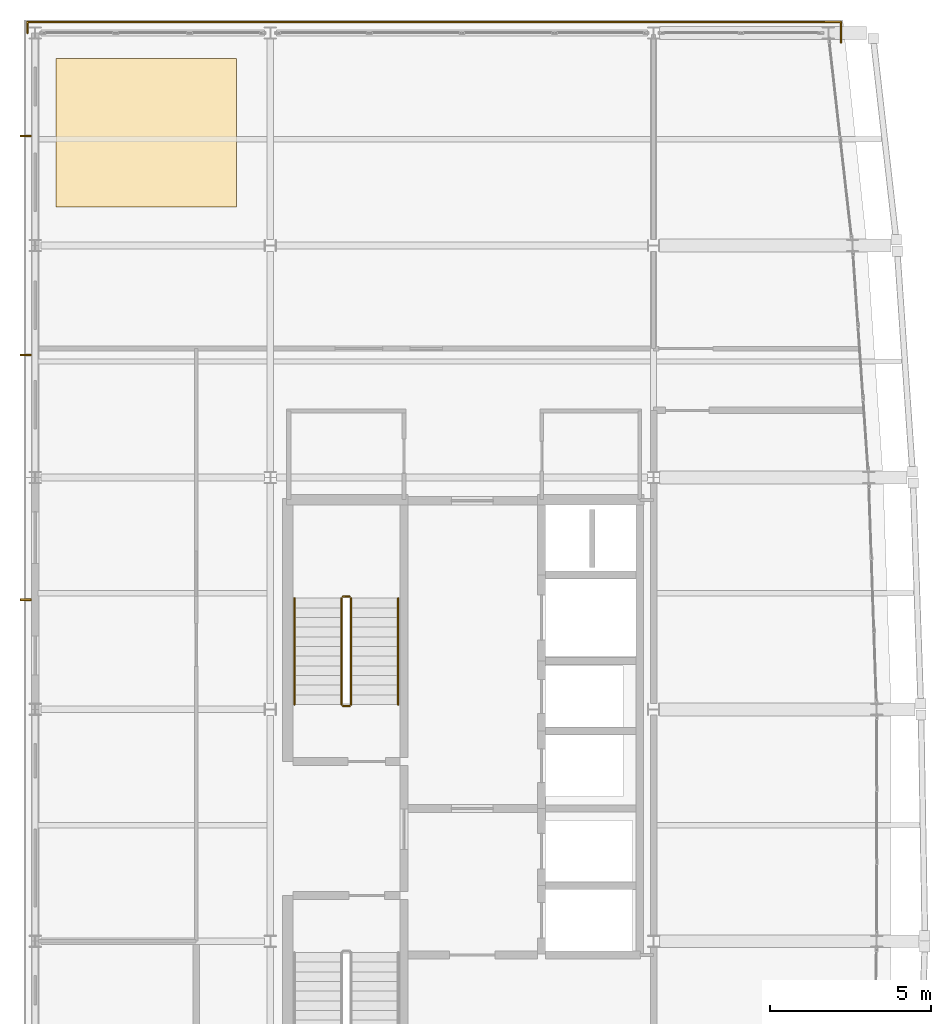
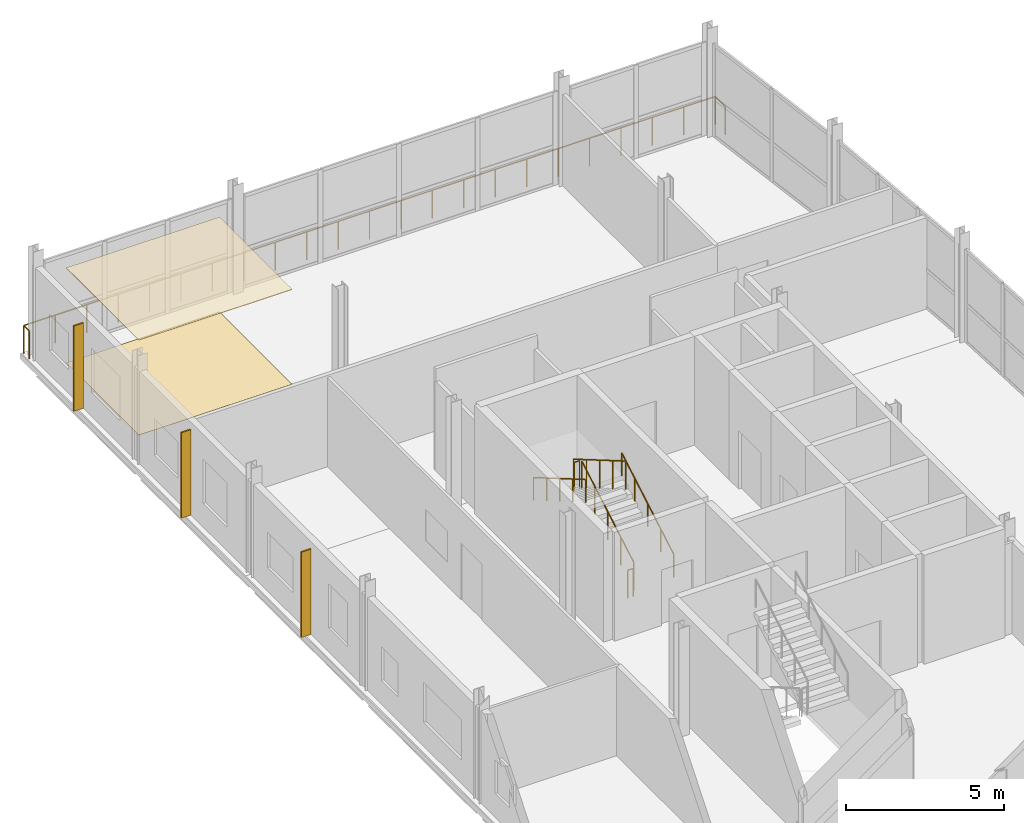
# One storey, part 19 of 19: 7 railings, 3 shading devices, 2 coverings.
"""IFC4 building model written with IfcOpenShell, lengths in metres."""

from ifc_helpers import new_model, si_unit, direction, frame, origin, origin_2d, place, context, subcontext, project, spatial, polyline, rectangle, circle, outline, extrude, material, layer, layer_set, type_object, element, save


model = new_model("IFC4")

# Units and contexts
model_context = context("Model", 3, precision=1e-05, world=origin(), true_north=direction((0.0, 1.0)))
body_context = subcontext(model_context, "Body", "Model", "MODEL_VIEW")
ifc_project = project(units=[si_unit("LENGTHUNIT", "METRE"), si_unit("AREAUNIT", "SQUARE_METRE"), si_unit("VOLUMEUNIT", "CUBIC_METRE"), si_unit("PLANEANGLEUNIT", "RADIAN"), si_unit("MASSUNIT", "GRAM", prefix="KILO")], contexts=[model_context])

# Site, building, storey
site_placement = place(None, origin())
site = spatial("IfcSite", under=ifc_project, at=site_placement, CompositionType="ELEMENT")
building_placement = place(site_placement, origin())
building = spatial("IfcBuilding", under=site, at=building_placement, Name="Quillay Park Conservatory", CompositionType="ELEMENT")
storey_placement = place(building_placement, frame((0.0, 0.0, 35.10009765625)))
storey = spatial("IfcBuildingStorey", under=building, at=storey_placement, Name="L08", CompositionType="ELEMENT", Elevation=35.10009765625)

# Coverings
ifc_material_1 = material(Name="Perforated Mineral-Fibre Acoustic Ceiling")
ifc_layer_1 = layer(ifc_material_1, 0.02490234375)
ifc_layer_set_1 = layer_set([ifc_layer_1], Name="ACOUSTIC MINERAL CEILING 25 (Perforated Mineral-Fibre Acoustic Ceiling)")
covering_type_1 = type_object("IfcCoveringType", Name="ACOUSTIC MINERAL CEILING 25", PredefinedType="CEILING", material=ifc_layer_set_1)
covering_1_placement = place(storey_placement, frame((0.0, 0.0, 3.661865234375)))
element("IfcCovering", 1, at=covering_1_placement, inside=storey, type_object=covering_type_1, Name="L08 Suspended Acoustic Ceiling", PredefinedType="CEILING", context=body_context, shape_type="SweptSolid", body=[
    extrude(outline(polyline([(1.199951171875, 108.0), (6.800048828125, 108.0), (6.800048828125, 112.60009765625), (1.199951171875, 112.60009765625), (1.199951171875, 108.0)])), origin(), (0.0, 0.0, 1.0), 0.025146484375),
])
ifc_material_2 = material(Name="Seamless Chemical-Resistant Epoxy Flooring")
ifc_layer_2 = layer(ifc_material_2, 0.01806640625)
ifc_layer_set_2 = layer_set([ifc_layer_2], Name="SEAMLESS EPOXY LAB FLOORING 18 (Seamless Chemical-Resistant Epoxy Flooring)")
covering_type_2 = type_object("IfcCoveringType", Name="SEAMLESS EPOXY LAB FLOORING 18", PredefinedType="FLOORING", material=ifc_layer_set_2)
covering_2_placement = place(storey_placement, origin())
element("IfcCovering", 2, at=covering_2_placement, inside=storey, type_object=covering_type_2, Name="L08 Interior Flooring Finish", PredefinedType="FLOORING", context=body_context, shape_type="SweptSolid", body=[
    extrude(outline(polyline([(1.199951171875, 108.0), (6.800048828125, 108.0), (6.800048828125, 112.60009765625), (1.199951171875, 112.60009765625), (1.199951171875, 108.0)])), origin(), (0.0, 0.0, 1.0), 0.017822265625),
])

# Railings
ifc_material_3 = material(Name="Steel S355J2H", Category="steel")
railing_type_1 = type_object("IfcRailingType", Name="STAIR WALL HANDRAIL 900", PredefinedType="HANDRAIL", material=ifc_material_3)
railing_1_placement = place(storey_placement, frame((11.820068359375, 92.550048828125, 0.1748046875)))
element("IfcRailing", 3, at=railing_1_placement, inside=storey, type_object=railing_type_1, Name="L08 ST-T1 stair handrail 1", PredefinedType="HANDRAIL", context=body_context, shape_type="SweptSolid", body=[
    extrude(circle(Radius=0.02392578125, at=origin_2d()), frame((0.0, 0.0, 0.8759765625), z_axis=(0.0, 0.863776583165, 0.503874998761), x_axis=(-1.0, 0.0, 0.0)), (0.0, 0.0, 1.0), 3.820556640625),
    extrude(circle(Radius=0.02099609375, at=origin_2d()), origin(), (0.0, 0.0, 1.0), 0.851806640625),
    extrude(circle(Radius=0.02099609375, at=origin_2d()), frame((0.0, 0.824951171875, 0.481201171875)), (0.0, 0.0, 1.0), 0.851806640625),
    extrude(circle(Radius=0.02099609375, at=origin_2d()), frame((0.0, 1.64990234375, 0.96240234375)), (0.0, 0.0, 1.0), 0.851806640625),
    extrude(circle(Radius=0.02099609375, at=origin_2d()), frame((0.0, 2.47509765625, 1.44384765625)), (0.0, 0.0, 1.0), 0.851806640625),
    extrude(circle(Radius=0.02099609375, at=origin_2d()), frame((0.0, 3.300048828125, 1.925048828125)), (0.0, 0.0, 1.0), 0.851806640625),
])
railing_2_placement = place(storey_placement, frame((8.60009765625, 95.85009765625, 2.27490234375)))
element("IfcRailing", 4, at=railing_2_placement, inside=storey, type_object=railing_type_1, Name="L08 ST-T1 stair handrail 2", PredefinedType="HANDRAIL", context=body_context, shape_type="SweptSolid", body=[
    extrude(circle(Radius=0.02392578125, at=origin_2d()), frame((0.0, 0.0, 0.8759765625), z_axis=(0.0, -0.863776583165, 0.503874998761), x_axis=(1.0, 0.0, 0.0)), (0.0, 0.0, 1.0), 3.820556640625),
    extrude(circle(Radius=0.02099609375, at=origin_2d()), origin(), (0.0, 0.0, 1.0), 0.851806640625),
    extrude(circle(Radius=0.02099609375, at=origin_2d()), frame((0.0, -0.824951171875, 0.481201171875)), (0.0, 0.0, 1.0), 0.851806640625),
    extrude(circle(Radius=0.02099609375, at=origin_2d()), frame((0.0, -1.64990234375, 0.96240234375)), (0.0, 0.0, 1.0), 0.851806640625),
    extrude(circle(Radius=0.02099609375, at=origin_2d()), frame((0.0, -2.47509765625, 1.44384765625)), (0.0, 0.0, 1.0), 0.851806640625),
    extrude(circle(Radius=0.02099609375, at=origin_2d()), frame((0.0, -3.300048828125, 1.925048828125)), (0.0, 0.0, 1.0), 0.851806640625),
])
ifc_material_4 = material(Name="Steel S355J2H", Category="steel")
railing_type_2 = type_object("IfcRailingType", Name="STAIR WELL GUARDRAIL 1100", PredefinedType="GUARDRAIL", material=ifc_material_4)
railing_3_placement = place(storey_placement, frame((10.360107421875, 92.550048828125, 0.1748046875)))
element("IfcRailing", 5, at=railing_3_placement, inside=storey, type_object=railing_type_2, Name="L08 ST-T1 stair guard 1", PredefinedType="GUARDRAIL", context=body_context, shape_type="SweptSolid", body=[
    extrude(circle(Radius=0.02392578125, at=origin_2d()), frame((0.0, 0.0, 1.076171875), z_axis=(0.0, 0.863776583165, 0.503874998761), x_axis=(-1.0, 0.0, 0.0)), (0.0, 0.0, 1.0), 3.820556640625),
    extrude(circle(Radius=0.02099609375, at=origin_2d()), origin(), (0.0, 0.0, 1.0), 1.052001953125),
    extrude(circle(Radius=0.02099609375, at=origin_2d()), frame((0.0, 0.824951171875, 0.481201171875)), (0.0, 0.0, 1.0), 1.052001953125),
    extrude(circle(Radius=0.02099609375, at=origin_2d()), frame((0.0, 1.64990234375, 0.96240234375)), (0.0, 0.0, 1.0), 1.052001953125),
    extrude(circle(Radius=0.02099609375, at=origin_2d()), frame((0.0, 2.47509765625, 1.44384765625)), (0.0, 0.0, 1.0), 1.052001953125),
    extrude(circle(Radius=0.02099609375, at=origin_2d()), frame((0.0, 3.300048828125, 1.925048828125)), (0.0, 0.0, 1.0), 1.052001953125),
])
railing_4_placement = place(storey_placement, frame((10.31005859375, 95.89990234375, 2.099853515625)))
element("IfcRailing", 6, at=railing_4_placement, inside=storey, type_object=railing_type_2, Name="L08 ST-T1 stair guard 2", PredefinedType="GUARDRAIL", context=body_context, shape_type="SweptSolid", body=[
    extrude(circle(Radius=0.02392578125, at=origin_2d()), frame((0.0, 0.0, 1.076171875), z_axis=(-1.0, 0.0, 0.0), x_axis=(0.0, -1.0, 0.0)), (0.0, 0.0, 1.0), 0.199951171875),
    extrude(circle(Radius=0.02099609375, at=origin_2d()), origin(), (0.0, 0.0, 1.0), 1.052001953125),
    extrude(circle(Radius=0.02099609375, at=origin_2d()), frame((-0.199951171875, 0.0, 0.0)), (0.0, 0.0, 1.0), 1.052001953125),
])
railing_5_placement = place(storey_placement, frame((10.06005859375, 95.85009765625, 2.27490234375)))
element("IfcRailing", 7, at=railing_5_placement, inside=storey, type_object=railing_type_2, Name="L08 ST-T1 stair guard 3", PredefinedType="GUARDRAIL", context=body_context, shape_type="SweptSolid", body=[
    extrude(circle(Radius=0.02392578125, at=origin_2d()), frame((0.0, 0.0, 1.076171875), z_axis=(0.0, -0.863776583165, 0.503874998761), x_axis=(1.0, 0.0, 0.0)), (0.0, 0.0, 1.0), 3.820556640625),
    extrude(circle(Radius=0.02099609375, at=origin_2d()), origin(), (0.0, 0.0, 1.0), 1.052001953125),
    extrude(circle(Radius=0.02099609375, at=origin_2d()), frame((0.0, -0.824951171875, 0.481201171875)), (0.0, 0.0, 1.0), 1.052001953125),
    extrude(circle(Radius=0.02099609375, at=origin_2d()), frame((0.0, -1.64990234375, 0.96240234375)), (0.0, 0.0, 1.0), 1.052001953125),
    extrude(circle(Radius=0.02099609375, at=origin_2d()), frame((0.0, -2.47509765625, 1.44384765625)), (0.0, 0.0, 1.0), 1.052001953125),
    extrude(circle(Radius=0.02099609375, at=origin_2d()), frame((0.0, -3.300048828125, 1.925048828125)), (0.0, 0.0, 1.0), 1.052001953125),
])
railing_6_placement = place(storey_placement, frame((10.31005859375, 92.5, 0.0)))
element("IfcRailing", 8, at=railing_6_placement, inside=storey, type_object=railing_type_2, Name="L08 ST-T1 stair guard 4", PredefinedType="GUARDRAIL", context=body_context, shape_type="SweptSolid", body=[
    extrude(circle(Radius=0.02392578125, at=origin_2d()), frame((0.0, 0.0, 1.076171875), z_axis=(-1.0, 0.0, 0.0), x_axis=(0.0, -1.0, 0.0)), (0.0, 0.0, 1.0), 0.199951171875),
    extrude(circle(Radius=0.02099609375, at=origin_2d()), origin(), (0.0, 0.0, 1.0), 1.052001953125),
    extrude(circle(Radius=0.02099609375, at=origin_2d()), frame((-0.199951171875, 0.0, 0.0)), (0.0, 0.0, 1.0), 1.052001953125),
])
ifc_material_5 = material(Name="Steel S355J2H", Category="steel")
railing_type_3 = type_object("IfcRailingType", Name="TERRACE PERIMETER GUARDRAIL 1100", PredefinedType="GUARDRAIL", material=ifc_material_5)
railing_7_placement = place(storey_placement, frame((0.31005859375, 113.39990234375, 0.0)))
element("IfcRailing", 9, at=railing_7_placement, inside=storey, type_object=railing_type_3, Name="L08 Perimeter Safety Guardrail 034", PredefinedType="GUARDRAIL", context=body_context, shape_type="SweptSolid", body=[
    extrude(circle(Radius=0.02392578125, at=origin_2d()), frame((0.0, 0.0, 1.076171875), z_axis=(0.0, 1.0, 0.0), x_axis=(-1.0, 0.0, 0.0)), (0.0, 0.0, 1.0), 0.340087890625),
    extrude(circle(Radius=0.02392578125, at=origin_2d()), frame((0.0, 0.340087890625, 1.076171875), z_axis=(1.0, 0.0, 0.0), x_axis=(0.0, 1.0, 0.0)), (0.0, 0.0, 1.0), 25.2548828125),
    extrude(circle(Radius=0.02392578125, at=origin_2d()), frame((25.2548828125, 0.340087890625, 1.076171875), z_axis=(0.0, -1.0, 0.0), x_axis=(1.0, 0.0, 0.0)), (0.0, 0.0, 1.0), 0.639892578125),
    extrude(circle(Radius=0.02099609375, at=origin_2d()), origin(), (0.0, 0.0, 1.0), 1.052001953125),
    extrude(circle(Radius=0.02099609375, at=origin_2d()), frame((0.0, 0.340087890625, 0.0)), (0.0, 0.0, 1.0), 1.052001953125),
    extrude(circle(Radius=0.02099609375, at=origin_2d()), frame((1.14794921875, 0.340087890625, 0.0)), (0.0, 0.0, 1.0), 1.052001953125),
    extrude(circle(Radius=0.02099609375, at=origin_2d()), frame((2.2958984375, 0.340087890625, 0.0)), (0.0, 0.0, 1.0), 1.052001953125),
    extrude(circle(Radius=0.02099609375, at=origin_2d()), frame((3.44384765625, 0.340087890625, 0.0)), (0.0, 0.0, 1.0), 1.052001953125),
    extrude(circle(Radius=0.02099609375, at=origin_2d()), frame((4.591796875, 0.340087890625, 0.0)), (0.0, 0.0, 1.0), 1.052001953125),
    extrude(circle(Radius=0.02099609375, at=origin_2d()), frame((5.73974609375, 0.340087890625, 0.0)), (0.0, 0.0, 1.0), 1.052001953125),
    extrude(circle(Radius=0.02099609375, at=origin_2d()), frame((6.8876953125, 0.340087890625, 0.0)), (0.0, 0.0, 1.0), 1.052001953125),
    extrude(circle(Radius=0.02099609375, at=origin_2d()), frame((8.03564453125, 0.340087890625, 0.0)), (0.0, 0.0, 1.0), 1.052001953125),
    extrude(circle(Radius=0.02099609375, at=origin_2d()), frame((9.18359375, 0.340087890625, 0.0)), (0.0, 0.0, 1.0), 1.052001953125),
    extrude(circle(Radius=0.02099609375, at=origin_2d()), frame((10.33154296875, 0.340087890625, 0.0)), (0.0, 0.0, 1.0), 1.052001953125),
    extrude(circle(Radius=0.02099609375, at=origin_2d()), frame((11.4794921875, 0.340087890625, 0.0)), (0.0, 0.0, 1.0), 1.052001953125),
    extrude(circle(Radius=0.02099609375, at=origin_2d()), frame((12.62744140625, 0.340087890625, 0.0)), (0.0, 0.0, 1.0), 1.052001953125),
    extrude(circle(Radius=0.02099609375, at=origin_2d()), frame((13.775390625, 0.340087890625, 0.0)), (0.0, 0.0, 1.0), 1.052001953125),
    extrude(circle(Radius=0.02099609375, at=origin_2d()), frame((14.92333984375, 0.340087890625, 0.0)), (0.0, 0.0, 1.0), 1.052001953125),
    extrude(circle(Radius=0.02099609375, at=origin_2d()), frame((16.0712890625, 0.340087890625, 0.0)), (0.0, 0.0, 1.0), 1.052001953125),
    extrude(circle(Radius=0.02099609375, at=origin_2d()), frame((17.21923828125, 0.340087890625, 0.0)), (0.0, 0.0, 1.0), 1.052001953125),
    extrude(circle(Radius=0.02099609375, at=origin_2d()), frame((18.3671875, 0.340087890625, 0.0)), (0.0, 0.0, 1.0), 1.052001953125),
    extrude(circle(Radius=0.02099609375, at=origin_2d()), frame((19.51513671875, 0.340087890625, 0.0)), (0.0, 0.0, 1.0), 1.052001953125),
    extrude(circle(Radius=0.02099609375, at=origin_2d()), frame((20.6630859375, 0.340087890625, 0.0)), (0.0, 0.0, 1.0), 1.052001953125),
    extrude(circle(Radius=0.02099609375, at=origin_2d()), frame((21.81103515625, 0.340087890625, 0.0)), (0.0, 0.0, 1.0), 1.052001953125),
    extrude(circle(Radius=0.02099609375, at=origin_2d()), frame((22.958984375, 0.340087890625, 0.0)), (0.0, 0.0, 1.0), 1.052001953125),
    extrude(circle(Radius=0.02099609375, at=origin_2d()), frame((24.10693359375, 0.340087890625, 0.0)), (0.0, 0.0, 1.0), 1.052001953125),
    extrude(circle(Radius=0.02099609375, at=origin_2d()), frame((25.2548828125, 0.340087890625, 0.0)), (0.0, 0.0, 1.0), 1.052001953125),
    extrude(circle(Radius=0.02099609375, at=origin_2d()), frame((25.2548828125, -0.2998046875, 0.0)), (0.0, 0.0, 1.0), 1.052001953125),
])

# Shading devices
ifc_material_6 = material(Name="Perforated Copper-Bronze Anodised Aluminium", Category="aluminium")
shading_device_type = type_object("IfcShadingDeviceType", Name="COPPER BRONZE SOLAR FIN", PredefinedType="USERDEFINED", material=ifc_material_6)
for number, where, z_axis, x_axis, name in (
    (10, (0.2548828125, 95.800048828125, 0.0), (0.0, 0.0, 1.0), (1.0, 0.0, 0.0), "L08 Perforated Copper-Bronze Solar Fin 023"),
    (11, (0.2548828125, 103.39990234375, 0.0), (0.0, 0.0, 1.0), (1.0, 0.0, 0.0), "L08 Perforated Copper-Bronze Solar Fin 024"),
    (12, (0.2548828125, 110.199951171875, 0.0), (0.0, 0.0, 1.0), (1.0, 0.0, 0.0), "L08 Perforated Copper-Bronze Solar Fin 025"),
):
    element("IfcShadingDevice", number, at=place(storey_placement, frame(where, z_axis=z_axis, x_axis=x_axis)), inside=storey, type_object=shading_device_type, Name=name, ObjectType="SOLAR FIN", PredefinedType="USERDEFINED", context=body_context, shape_type="SweptSolid", body=[
        extrude(rectangle(XDim=0.35009765625, YDim=0.054931640625, at=origin_2d()), origin(), (0.0, 0.0, 1.0), 3.300048828125),
    ])

save(model, "model.ifc")
